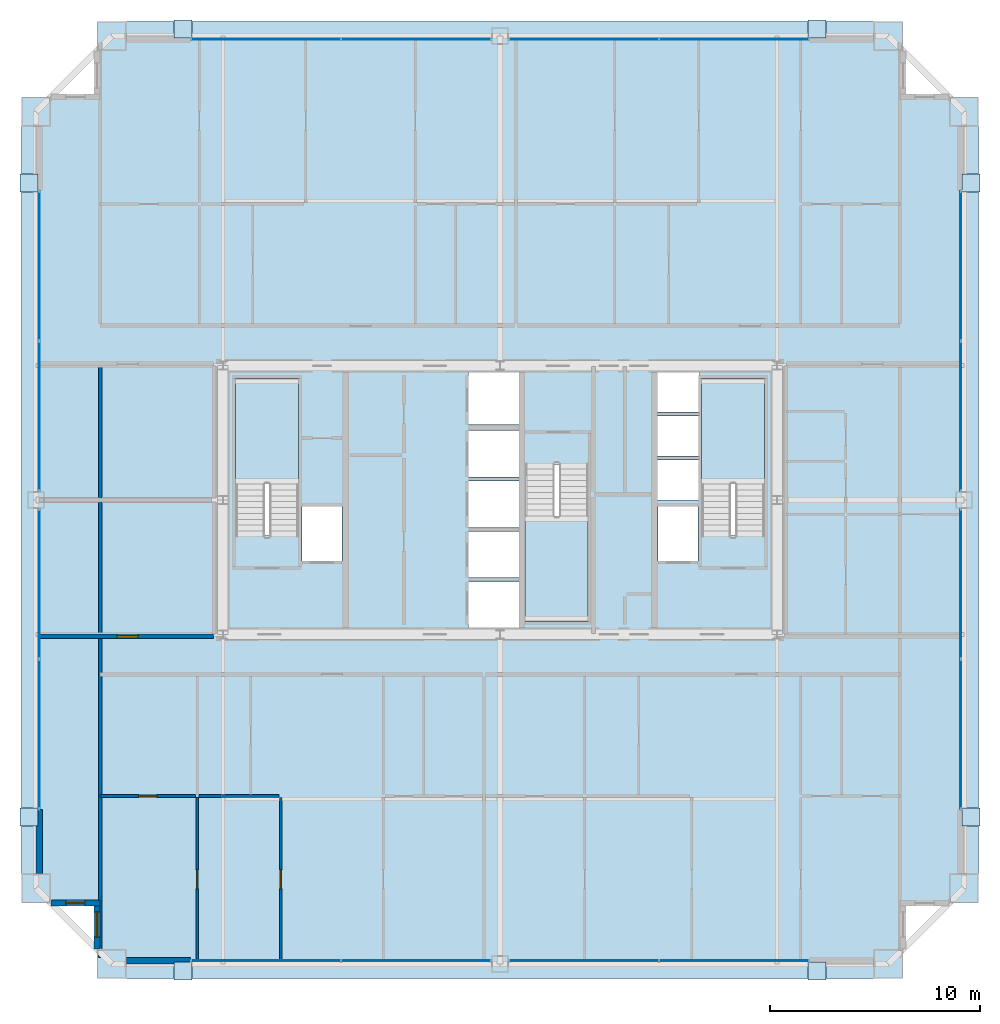
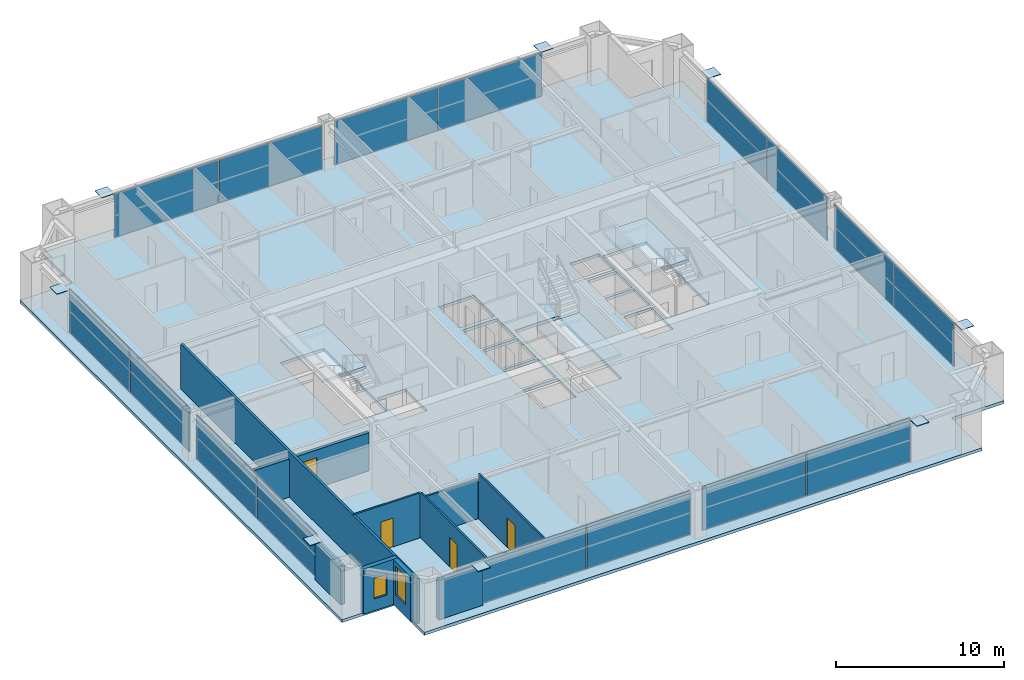
# One storey, part 32 of 38: 24 plates, 10 walls, 4 doors, 4 slabs, 2 windows, 6 openings, 11 elements without a shape of their own.
"""IFC4 building model written with IfcOpenShell, lengths in metres."""

from ifc_helpers import new_model, si_unit, direction, frame, frame_2d, origin, origin_2d, place, context, subcontext, project, spatial, polyline, rectangle, outline, extrude, source, transform, mapped, material, layer, layer_set, type_object, element, fill, aggregate, save


model = new_model("IFC4")

# Units and contexts
model_context = context("Model", 3, precision=1e-05, world=origin(), true_north=direction((0.0, 1.0)))
body_context = subcontext(model_context, "Body", "Model", "MODEL_VIEW")
ifc_project = project(units=[si_unit("LENGTHUNIT", "METRE"), si_unit("AREAUNIT", "SQUARE_METRE"), si_unit("VOLUMEUNIT", "CUBIC_METRE"), si_unit("PLANEANGLEUNIT", "RADIAN"), si_unit("MASSUNIT", "GRAM", prefix="KILO"), si_unit("THERMODYNAMICTEMPERATUREUNIT", "KELVIN"), si_unit("POWERUNIT", "WATT")], contexts=[model_context])

# Site, building, storey
site_placement = place(None, origin())
site = spatial("IfcSite", under=ifc_project, at=site_placement, CompositionType="ELEMENT")
building_placement = place(site_placement, origin())
building = spatial("IfcBuilding", under=site, at=building_placement, Name="Yuzanri Waterfront Tower", CompositionType="ELEMENT")
storey_placement = place(building_placement, frame((0.0, 0.0, 195.0)))
storey = spatial("IfcBuildingStorey", under=building, at=storey_placement, Name="L51", CompositionType="ELEMENT", Elevation=195.0)

# Stair, slab
ifc_material_1 = material(Name="Concrete C40", Category="concrete")
stair_type = type_object("IfcStairType", Name="Concrete C40 Core Dogleg Exit Stair", PredefinedType="HALF_TURN_STAIR", material=ifc_material_1)
stair_1_placement = place(storey_placement, origin())
stair_1 = element("IfcStair", 1, at=stair_1_placement, inside=storey, type_object=stair_type, Name="L51 Smoke-Proof Core Stair ST-01", PredefinedType="HALF_TURN_STAIR")
ifc_material_2 = material(Name="Concrete C40", Category="concrete")
ifc_layer_1 = layer(ifc_material_2, 0.179931640625)
ifc_layer_set_1 = layer_set([ifc_layer_1], Name="Concrete C40")
slab_type_1 = type_object("IfcSlabType", Name="Concrete C40 Stair Half-Landing Slab 180", PredefinedType="LANDING", material=ifc_layer_set_1)
slab_1_placement = place(storey_placement, frame((0.0, 0.0, 1.550048828125)))
slab_1 = element("IfcSlab", 2, at=slab_1_placement, type_object=slab_type_1, Name="ST-01 landing 1", PredefinedType="LANDING", context=body_context, shape_type="SweptSolid", body=[
    extrude(outline(polyline([(27.39990234375, 26.56005859375), (27.39990234375, 31.580078125), (24.39990234375, 31.580078125), (24.39990234375, 26.56005859375), (27.39990234375, 26.56005859375)])), origin(), (0.0, 0.0, 1.0), 0.199951171875),
])
aggregate(stair_1, [slab_1])

stair_2_placement = place(storey_placement, origin())
stair_2 = element("IfcStair", 3, at=stair_2_placement, inside=storey, type_object=stair_type, Name="L51 Smoke-Proof Core Stair ST-02", PredefinedType="HALF_TURN_STAIR")
slab_2_placement = place(storey_placement, frame((0.0, 0.0, 1.550048828125)))
slab_2 = element("IfcSlab", 4, at=slab_2_placement, type_object=slab_type_1, Name="ST-02 landing 1", PredefinedType="LANDING", context=body_context, shape_type="SweptSolid", body=[
    extrude(outline(polyline([(49.60009765625, 26.56005859375), (49.60009765625, 31.580078125), (46.60009765625, 31.580078125), (46.60009765625, 26.56005859375), (49.60009765625, 26.56005859375)])), origin(), (0.0, 0.0, 1.0), 0.199951171875),
])
aggregate(stair_2, [slab_2])

stair_3_placement = place(storey_placement, origin())
stair_3 = element("IfcStair", 5, at=stair_3_placement, inside=storey, type_object=stair_type, Name="L51 Smoke-Proof Core Stair ST-03", PredefinedType="HALF_TURN_STAIR")
slab_3_placement = place(storey_placement, frame((0.0, 0.0, 1.550048828125)))
slab_3 = element("IfcSlab", 6, at=slab_3_placement, type_object=slab_type_1, Name="ST-03 landing 1", PredefinedType="LANDING", context=body_context, shape_type="SweptSolid", body=[
    extrude(outline(polyline([(38.199951171875, 25.0400390625), (38.199951171875, 20.02001953125), (41.199951171875, 20.02001953125), (41.199951171875, 25.0400390625), (38.199951171875, 25.0400390625)])), origin(), (0.0, 0.0, 1.0), 0.199951171875),
])
aggregate(stair_3, [slab_3])

# Slab
ifc_material_3 = material(Name="Concrete C40", Category="concrete")
ifc_layer_2 = layer(ifc_material_3, 0.219970703125)
ifc_layer_set_2 = layer_set([ifc_layer_2], Name="Concrete C40")
slab_type_2 = type_object("IfcSlabType", Name="Concrete C40 Tower Typical Structural Floor Slab 220", PredefinedType="FLOOR", material=ifc_layer_set_2)
slab_4_placement = place(storey_placement, frame((0.0, 0.0, -0.219970703125)))
element("IfcSlab", 7, at=slab_4_placement, inside=storey, type_object=slab_type_2, Name="L51 Main Structural Floor Slab", PredefinedType="FLOOR", context=body_context, shape_type="SweptSolid", body=[
    extrude(outline(polyline([(17.800048828125, 3.0), (56.199951171875, 3.0), (56.199951171875, 6.60009765625), (59.800048828125, 6.60009765625), (59.800048828125, 45.0), (56.199951171875, 45.0), (56.199951171875, 48.60009765625), (17.800048828125, 48.60009765625), (17.800048828125, 45.0), (14.199951171875, 45.0), (14.199951171875, 6.60009765625), (17.800048828125, 6.60009765625), (17.800048828125, 3.0)]), holes=[polyline([(27.39990234375, 24.10009765625), (27.39990234375, 31.580078125), (24.39990234375, 31.580078125), (24.39990234375, 24.10009765625), (27.39990234375, 24.10009765625)]), polyline([(49.60009765625, 24.10009765625), (49.60009765625, 31.580078125), (46.60009765625, 31.580078125), (46.60009765625, 24.10009765625), (49.60009765625, 24.10009765625)]), polyline([(38.199951171875, 27.5), (38.199951171875, 20.02001953125), (41.199951171875, 20.02001953125), (41.199951171875, 27.5), (38.199951171875, 27.5)]), polyline([(27.56005859375, 22.89990234375), (29.47998046875, 22.89990234375), (29.47998046875, 25.5), (27.56005859375, 25.5), (27.56005859375, 22.89990234375)]), polyline([(44.52001953125, 22.89990234375), (46.43994140625, 22.89990234375), (46.43994140625, 25.5), (44.52001953125, 25.5), (44.52001953125, 22.89990234375)]), polyline([(35.5, 19.699951171875), (37.89990234375, 19.699951171875), (37.89990234375, 21.89990234375), (35.5, 21.89990234375), (35.5, 19.699951171875)]), polyline([(35.5, 22.10009765625), (37.89990234375, 22.10009765625), (37.89990234375, 24.300048828125), (35.5, 24.300048828125), (35.5, 22.10009765625)]), polyline([(35.5, 24.5), (37.89990234375, 24.5), (37.89990234375, 26.699951171875), (35.5, 26.699951171875), (35.5, 24.5)]), polyline([(35.5, 26.89990234375), (37.89990234375, 26.89990234375), (37.89990234375, 29.10009765625), (35.5, 29.10009765625), (35.5, 26.89990234375)]), polyline([(35.5, 29.39990234375), (37.89990234375, 29.39990234375), (37.89990234375, 31.89990234375), (35.5, 31.89990234375), (35.5, 29.39990234375)]), polyline([(44.5, 25.800048828125), (46.5, 25.800048828125), (46.5, 27.699951171875), (44.5, 27.699951171875), (44.5, 25.800048828125)]), polyline([(44.5, 27.89990234375), (46.5, 27.89990234375), (46.5, 29.800048828125), (44.5, 29.800048828125), (44.5, 27.89990234375)]), polyline([(44.5, 30.0), (46.5, 30.0), (46.5, 31.89990234375), (44.5, 31.89990234375), (44.5, 30.0)])]), origin(), (0.0, 0.0, 1.0), 0.219970703125),
])

# Plates
ifc_material_4 = material(Name="Steel Q420GJC", Category="steel")
ifc_layer_3 = layer(ifc_material_4, 0.0400390625)
ifc_layer_set_3 = layer_set([ifc_layer_3], Name="Steel Q420GJC")
plate_type_1 = type_object("IfcPlateType", Name="Steel Q420GJC Mega-Brace Gusset and End-Cap Plate 40", PredefinedType="SHEET", material=ifc_layer_set_3)
shared_shape_1 = source(origin(), body_context, "Body", "SweptSolid", [
    extrude(rectangle(XDim=0.85009765625, YDim=0.85009765625, at=origin_2d()), origin(), (0.0, 0.0, 1.0), 0.0400390625),
])
for number, where, z_axis, x_axis, name in (
    (8, (21.89990234375, 3.360107421875, 3.159912109375), (0.0, 0.0, 1.0), (1.0, 0.0, 0.0), "L51 Mega-Brace Apex Cap Plate S-L"),
    (9, (52.10009765625, 3.360107421875, 3.159912109375), (0.0, 0.0, 1.0), (1.0, 0.0, 0.0), "L51 Mega-Brace Apex Cap Plate S-R"),
    (10, (21.89990234375, 48.239990234375, 3.159912109375), (0.0, 0.0, 1.0), (1.0, 0.0, 0.0), "L51 Mega-Brace Apex Cap Plate N-L"),
    (11, (52.10009765625, 48.239990234375, 3.159912109375), (0.0, 0.0, 1.0), (1.0, 0.0, 0.0), "L51 Mega-Brace Apex Cap Plate N-R"),
    (12, (14.56005859375, 10.699951171875, 3.159912109375), (0.0, 0.0, 1.0), (1.0, 0.0, 0.0), "L51 Mega-Brace Apex Cap Plate W-L"),
    (13, (14.56005859375, 40.89990234375, 3.159912109375), (0.0, 0.0, 1.0), (1.0, 0.0, 0.0), "L51 Mega-Brace Apex Cap Plate W-R"),
    (14, (59.43994140625, 10.699951171875, 3.159912109375), (0.0, 0.0, 1.0), (1.0, 0.0, 0.0), "L51 Mega-Brace Apex Cap Plate E-L"),
    (15, (59.43994140625, 40.89990234375, 3.159912109375), (0.0, 0.0, 1.0), (1.0, 0.0, 0.0), "L51 Mega-Brace Apex Cap Plate E-R"),
):
    element("IfcPlate", number, at=place(storey_placement, frame(where, z_axis=z_axis, x_axis=x_axis)), inside=storey, type_object=plate_type_1, Name=name, PredefinedType="SHEET", context=body_context, shape_type="MappedRepresentation", body=[
        mapped(shared_shape_1, transform((0.0, 0.0, 0.0), scale=1.0)),
    ])

# Curtain wall, plates
ifc_material_5 = material(Name="Anodized Architectural Bronze", Category="metal")
ifc_layer_4 = layer(ifc_material_5, 0.159912109375)
ifc_layer_set_4 = layer_set([ifc_layer_4], Name="Anodized Architectural Bronze")
curtain_wall_type = type_object("IfcCurtainWallType", Name="Anodized Bronze Mid-Rise Residential Acoustic Unitized Curtain Wall 7200", PredefinedType="NOTDEFINED", material=ifc_layer_set_4)
curtain_wall_1_placement = place(storey_placement, origin())
curtain_wall_1 = element("IfcCurtainWall", 16, at=curtain_wall_1_placement, inside=storey, type_object=curtain_wall_type, Name="L51 Curtain Wall CW-L51-SL", PredefinedType="NOTDEFINED")
ifc_material_6 = material(Name="Triple Low-E Laminated Insulated Glass", Category="glass")
ifc_layer_5 = layer(ifc_material_6, 0.0439453125)
ifc_layer_set_5 = layer_set([ifc_layer_5], Name="Triple Low-E Laminated Insulated Glass")
plate_type_2 = type_object("IfcPlateType", Name="Triple Glazed Acoustic Vision Glass Panel 44", PredefinedType="CURTAIN_PANEL", material=ifc_layer_set_5)
shared_shape_2 = source(origin(), body_context, "Body", "SweptSolid", [
    extrude(rectangle(XDim=7.094970703125, YDim=0.0439453125, at=origin_2d()), origin(), (0.0, 0.0, 1.0), 3.179931640625),
])
plate_1_placement = place(storey_placement, frame((25.83740234375, 3.85009765625, 0.0498046875), z_axis=(0.0, 0.0, 1.0), x_axis=(1.0, 0.0, 0.0)))
plate_1 = element("IfcPlate", 17, at=plate_1_placement, type_object=plate_type_2, Name="CW-L51-SL Vision Glass Panel 01", PredefinedType="CURTAIN_PANEL", context=body_context, shape_type="MappedRepresentation", body=[
    mapped(shared_shape_2, transform((0.0, 0.0, 0.0), scale=1.0)),
])
plate_2_placement = place(storey_placement, frame((33.012451171875, 3.85009765625, 0.0498046875), z_axis=(0.0, 0.0, 1.0), x_axis=(1.0, 0.0, 0.0)))
plate_2 = element("IfcPlate", 18, at=plate_2_placement, type_object=plate_type_2, Name="CW-L51-SL Vision Glass Panel 02", PredefinedType="CURTAIN_PANEL", context=body_context, shape_type="MappedRepresentation", body=[
    mapped(shared_shape_2, transform((0.0, 0.0, 0.0), scale=1.0)),
])
aggregate(curtain_wall_1, [plate_1, plate_2])

curtain_wall_2_placement = place(storey_placement, origin())
curtain_wall_2 = element("IfcCurtainWall", 19, at=curtain_wall_2_placement, inside=storey, type_object=curtain_wall_type, Name="L51 Curtain Wall CW-L51-SR", PredefinedType="NOTDEFINED")
plate_3_placement = place(storey_placement, frame((40.987548828125, 3.85009765625, 0.0498046875), z_axis=(0.0, 0.0, 1.0), x_axis=(1.0, 0.0, 0.0)))
plate_3 = element("IfcPlate", 20, at=plate_3_placement, type_object=plate_type_2, Name="CW-L51-SR Vision Glass Panel 01", PredefinedType="CURTAIN_PANEL", context=body_context, shape_type="MappedRepresentation", body=[
    mapped(shared_shape_2, transform((0.0, 0.0, 0.0), scale=1.0)),
])
plate_4_placement = place(storey_placement, frame((48.16259765625, 3.85009765625, 0.0498046875), z_axis=(0.0, 0.0, 1.0), x_axis=(1.0, 0.0, 0.0)))
plate_4 = element("IfcPlate", 21, at=plate_4_placement, type_object=plate_type_2, Name="CW-L51-SR Vision Glass Panel 02", PredefinedType="CURTAIN_PANEL", context=body_context, shape_type="MappedRepresentation", body=[
    mapped(shared_shape_2, transform((0.0, 0.0, 0.0), scale=1.0)),
])
aggregate(curtain_wall_2, [plate_3, plate_4])

curtain_wall_3_placement = place(storey_placement, origin())
curtain_wall_3 = element("IfcCurtainWall", 22, at=curtain_wall_3_placement, inside=storey, type_object=curtain_wall_type, Name="L51 Curtain Wall CW-L51-NL", PredefinedType="NOTDEFINED")
plate_5_placement = place(storey_placement, frame((25.83740234375, 47.75, 0.0498046875), z_axis=(0.0, 0.0, 1.0), x_axis=(1.0, 0.0, 0.0)))
plate_5 = element("IfcPlate", 23, at=plate_5_placement, type_object=plate_type_2, Name="CW-L51-NL Vision Glass Panel 01", PredefinedType="CURTAIN_PANEL", context=body_context, shape_type="MappedRepresentation", body=[
    mapped(shared_shape_2, transform((0.0, 0.0, 0.0), scale=1.0)),
])
plate_6_placement = place(storey_placement, frame((33.012451171875, 47.75, 0.0498046875), z_axis=(0.0, 0.0, 1.0), x_axis=(1.0, 0.0, 0.0)))
plate_6 = element("IfcPlate", 24, at=plate_6_placement, type_object=plate_type_2, Name="CW-L51-NL Vision Glass Panel 02", PredefinedType="CURTAIN_PANEL", context=body_context, shape_type="MappedRepresentation", body=[
    mapped(shared_shape_2, transform((0.0, 0.0, 0.0), scale=1.0)),
])
aggregate(curtain_wall_3, [plate_5, plate_6])

curtain_wall_4_placement = place(storey_placement, origin())
curtain_wall_4 = element("IfcCurtainWall", 25, at=curtain_wall_4_placement, inside=storey, type_object=curtain_wall_type, Name="L51 Curtain Wall CW-L51-NR", PredefinedType="NOTDEFINED")
plate_7_placement = place(storey_placement, frame((40.987548828125, 47.75, 0.0498046875), z_axis=(0.0, 0.0, 1.0), x_axis=(1.0, 0.0, 0.0)))
plate_7 = element("IfcPlate", 26, at=plate_7_placement, type_object=plate_type_2, Name="CW-L51-NR Vision Glass Panel 01", PredefinedType="CURTAIN_PANEL", context=body_context, shape_type="MappedRepresentation", body=[
    mapped(shared_shape_2, transform((0.0, 0.0, 0.0), scale=1.0)),
])
plate_8_placement = place(storey_placement, frame((48.16259765625, 47.75, 0.0498046875), z_axis=(0.0, 0.0, 1.0), x_axis=(1.0, 0.0, 0.0)))
plate_8 = element("IfcPlate", 27, at=plate_8_placement, type_object=plate_type_2, Name="CW-L51-NR Vision Glass Panel 02", PredefinedType="CURTAIN_PANEL", context=body_context, shape_type="MappedRepresentation", body=[
    mapped(shared_shape_2, transform((0.0, 0.0, 0.0), scale=1.0)),
])
aggregate(curtain_wall_4, [plate_7, plate_8])

curtain_wall_5_placement = place(storey_placement, origin())
curtain_wall_5 = element("IfcCurtainWall", 28, at=curtain_wall_5_placement, inside=storey, type_object=curtain_wall_type, Name="L51 Curtain Wall CW-L51-WL", PredefinedType="NOTDEFINED")
plate_9_placement = place(storey_placement, frame((15.050048828125, 14.637451171875, 0.0498046875), z_axis=(0.0, 0.0, 1.0), x_axis=(0.0, 1.0, 0.0)))
plate_9 = element("IfcPlate", 29, at=plate_9_placement, type_object=plate_type_2, Name="CW-L51-WL Vision Glass Panel 01", PredefinedType="CURTAIN_PANEL", context=body_context, shape_type="MappedRepresentation", body=[
    mapped(shared_shape_2, transform((0.0, 0.0, 0.0), scale=1.0)),
])
plate_10_placement = place(storey_placement, frame((15.050048828125, 21.8125, 0.0498046875), z_axis=(0.0, 0.0, 1.0), x_axis=(0.0, 1.0, 0.0)))
plate_10 = element("IfcPlate", 30, at=plate_10_placement, type_object=plate_type_2, Name="CW-L51-WL Vision Glass Panel 02", PredefinedType="CURTAIN_PANEL", context=body_context, shape_type="MappedRepresentation", body=[
    mapped(shared_shape_2, transform((0.0, 0.0, 0.0), scale=1.0)),
])
aggregate(curtain_wall_5, [plate_9, plate_10])

curtain_wall_6_placement = place(storey_placement, origin())
curtain_wall_6 = element("IfcCurtainWall", 31, at=curtain_wall_6_placement, inside=storey, type_object=curtain_wall_type, Name="L51 Curtain Wall CW-L51-WR", PredefinedType="NOTDEFINED")
plate_11_placement = place(storey_placement, frame((15.050048828125, 29.78759765625, 0.0498046875), z_axis=(0.0, 0.0, 1.0), x_axis=(0.0, 1.0, 0.0)))
plate_11 = element("IfcPlate", 32, at=plate_11_placement, type_object=plate_type_2, Name="CW-L51-WR Vision Glass Panel 01", PredefinedType="CURTAIN_PANEL", context=body_context, shape_type="MappedRepresentation", body=[
    mapped(shared_shape_2, transform((0.0, 0.0, 0.0), scale=1.0)),
])
plate_12_placement = place(storey_placement, frame((15.050048828125, 36.96240234375, 0.0498046875), z_axis=(0.0, 0.0, 1.0), x_axis=(0.0, 1.0, 0.0)))
plate_12 = element("IfcPlate", 33, at=plate_12_placement, type_object=plate_type_2, Name="CW-L51-WR Vision Glass Panel 02", PredefinedType="CURTAIN_PANEL", context=body_context, shape_type="MappedRepresentation", body=[
    mapped(shared_shape_2, transform((0.0, 0.0, 0.0), scale=1.0)),
])
aggregate(curtain_wall_6, [plate_11, plate_12])

curtain_wall_7_placement = place(storey_placement, origin())
curtain_wall_7 = element("IfcCurtainWall", 34, at=curtain_wall_7_placement, inside=storey, type_object=curtain_wall_type, Name="L51 Curtain Wall CW-L51-EL", PredefinedType="NOTDEFINED")
plate_13_placement = place(storey_placement, frame((58.949951171875, 14.637451171875, 0.0498046875), z_axis=(0.0, 0.0, 1.0), x_axis=(0.0, 1.0, 0.0)))
plate_13 = element("IfcPlate", 35, at=plate_13_placement, type_object=plate_type_2, Name="CW-L51-EL Vision Glass Panel 01", PredefinedType="CURTAIN_PANEL", context=body_context, shape_type="MappedRepresentation", body=[
    mapped(shared_shape_2, transform((0.0, 0.0, 0.0), scale=1.0)),
])
plate_14_placement = place(storey_placement, frame((58.949951171875, 21.8125, 0.0498046875), z_axis=(0.0, 0.0, 1.0), x_axis=(0.0, 1.0, 0.0)))
plate_14 = element("IfcPlate", 36, at=plate_14_placement, type_object=plate_type_2, Name="CW-L51-EL Vision Glass Panel 02", PredefinedType="CURTAIN_PANEL", context=body_context, shape_type="MappedRepresentation", body=[
    mapped(shared_shape_2, transform((0.0, 0.0, 0.0), scale=1.0)),
])
aggregate(curtain_wall_7, [plate_13, plate_14])

curtain_wall_8_placement = place(storey_placement, origin())
curtain_wall_8 = element("IfcCurtainWall", 37, at=curtain_wall_8_placement, inside=storey, type_object=curtain_wall_type, Name="L51 Curtain Wall CW-L51-ER", PredefinedType="NOTDEFINED")
plate_15_placement = place(storey_placement, frame((58.949951171875, 29.78759765625, 0.0498046875), z_axis=(0.0, 0.0, 1.0), x_axis=(0.0, 1.0, 0.0)))
plate_15 = element("IfcPlate", 38, at=plate_15_placement, type_object=plate_type_2, Name="CW-L51-ER Vision Glass Panel 01", PredefinedType="CURTAIN_PANEL", context=body_context, shape_type="MappedRepresentation", body=[
    mapped(shared_shape_2, transform((0.0, 0.0, 0.0), scale=1.0)),
])
plate_16_placement = place(storey_placement, frame((58.949951171875, 36.96240234375, 0.0498046875), z_axis=(0.0, 0.0, 1.0), x_axis=(0.0, 1.0, 0.0)))
plate_16 = element("IfcPlate", 39, at=plate_16_placement, type_object=plate_type_2, Name="CW-L51-ER Vision Glass Panel 02", PredefinedType="CURTAIN_PANEL", context=body_context, shape_type="MappedRepresentation", body=[
    mapped(shared_shape_2, transform((0.0, 0.0, 0.0), scale=1.0)),
])
aggregate(curtain_wall_8, [plate_15, plate_16])

# Wall, opening, door
ifc_material_7 = material(Name="Moisture-Resistant Gypsum Stud Wall", Category="gypsum")
ifc_layer_6 = layer(ifc_material_7, 0.1201171875)
ifc_layer_set_6 = layer_set([ifc_layer_6], Name="Moisture-Resistant Gypsum Stud Wall")
wall_type_1 = type_object("IfcWallType", Name="Bathroom and Kitchen Wet Partition 120", PredefinedType="PARTITIONING", material=ifc_layer_set_6)
wall_1_placement = place(storey_placement, frame((17.93994140625, 11.699951171875, 0.0), z_axis=(0.0, 0.0, 1.0), x_axis=(1.0, 0.0, 0.0)))
wall_1 = element("IfcWall", 40, at=wall_1_placement, inside=storey, type_object=wall_type_1, Name="L51 Partition UW-L51-RS1-SUB-1-S", PredefinedType="PARTITIONING", context=body_context, shape_type="SweptSolid", body=[
    extrude(rectangle(XDim=4.553955078125, YDim=0.1201171875, at=frame_2d((2.27685546875, 0.0))), origin(), (0.0, 0.0, 1.0), 3.280029296875),
])
opening_1_placement = place(wall_1_placement, frame((1.85205078125, 0.0, 0.0)))
opening_1 = element("IfcOpeningElement", 41, at=opening_1_placement, cuts=wall_1, Name="Opening ID-0850", PredefinedType="OPENING", context=body_context, shape_type="SweptSolid", body=[
    extrude(rectangle(XDim=0.85009765625, YDim=2.10009765625, at=frame_2d((0.425048828125, 1.050048828125))), frame((0.0, 0.074951171875, 0.0), z_axis=(0.0, -1.0, 0.0), x_axis=(1.0, 0.0, 0.0)), (0.0, 0.0, 1.0), 0.14990234375),
])
ifc_material_8 = material(Name="Moisture-Resistant Lacquered Timber", Category="wood")
door_type_1 = type_object("IfcDoorType", Name="En-Suite Bathroom and Kitchen Swing Door 850x2100", OperationType="NOTDEFINED", PredefinedType="DOOR", material=ifc_material_8)
shared_shape_3 = source(origin(), body_context, "Body", "SweptSolid", [
    extrude(rectangle(XDim=0.85009765625, YDim=2.10009765625, at=frame_2d((0.425048828125, 1.050048828125))), frame((0.0, 0.02490234375, 0.0), z_axis=(0.0, -1.0, 0.0), x_axis=(1.0, 0.0, 0.0)), (0.0, 0.0, 1.0), 0.050048828125),
])
door_1_placement = place(opening_1_placement, origin())
door_1 = element("IfcDoor", 42, at=door_1_placement, inside=storey, type_object=door_type_1, Name="L51 Suite Interior Room Door", OperationType="SINGLE_SWING_RIGHT", OverallHeight=2.10009765625, OverallWidth=0.85009765625, PredefinedType="DOOR", context=body_context, shape_type="MappedRepresentation", body=[
    mapped(shared_shape_3, transform((0.0, 0.0, 0.0), scale=1.0)),
])
fill(opening_1, door_1)

wall_2_placement = place(storey_placement, frame((22.573974609375, 3.85009765625, 0.0), z_axis=(0.0, 0.0, 1.0), x_axis=(0.0, 1.0, 0.0)))
wall_2 = element("IfcWall", 43, at=wall_2_placement, inside=storey, type_object=wall_type_1, Name="L51 Partition UW-L51-RS1-SUB-5-E", PredefinedType="PARTITIONING", context=body_context, shape_type="SweptSolid", body=[
    extrude(rectangle(XDim=7.77001953125, YDim=0.1201171875, at=frame_2d((3.885009765625, 0.0))), origin(), (0.0, 0.0, 1.0), 3.280029296875),
])
opening_2_placement = place(wall_2_placement, frame((3.43505859375, 0.0, 0.0)))
opening_2 = element("IfcOpeningElement", 44, at=opening_2_placement, cuts=wall_2, Name="Opening ID-0900", PredefinedType="OPENING", context=body_context, shape_type="SweptSolid", body=[
    extrude(rectangle(XDim=0.89990234375, YDim=2.14990234375, at=frame_2d((0.449951171875, 1.074951171875))), frame((0.0, 0.074951171875, 0.0), z_axis=(0.0, -1.0, 0.0), x_axis=(1.0, 0.0, 0.0)), (0.0, 0.0, 1.0), 0.14990234375),
])
ifc_material_9 = material(Name="Stained Walnut Veneer Timber", Category="wood")
door_type_2 = type_object("IfcDoorType", Name="Bedroom and Study Interior Swing Door 900x2150", OperationType="NOTDEFINED", PredefinedType="DOOR", material=ifc_material_9)
shared_shape_4 = source(origin(), body_context, "Body", "SweptSolid", [
    extrude(rectangle(XDim=0.89990234375, YDim=2.14990234375, at=frame_2d((0.449951171875, 1.074951171875))), frame((0.0, 0.02490234375, 0.0), z_axis=(0.0, -1.0, 0.0), x_axis=(1.0, 0.0, 0.0)), (0.0, 0.0, 1.0), 0.050048828125),
])
door_2_placement = place(opening_2_placement, origin())
door_2 = element("IfcDoor", 45, at=door_2_placement, inside=storey, type_object=door_type_2, Name="L51 Suite Interior Room Door", OperationType="SINGLE_SWING_RIGHT", OverallHeight=2.14990234375, OverallWidth=0.89990234375, PredefinedType="DOOR", context=body_context, shape_type="MappedRepresentation", body=[
    mapped(shared_shape_4, transform((0.0, 0.0, 0.0), scale=1.0)),
])
fill(opening_2, door_2)

wall_3_placement = place(storey_placement, frame((26.56103515625, 3.85009765625, 0.0), z_axis=(0.0, 0.0, 1.0), x_axis=(0.0, 1.0, 0.0)))
wall_3 = element("IfcWall", 46, at=wall_3_placement, inside=storey, type_object=wall_type_1, Name="L51 Partition UW-L51-RS1-SUB-7-E", PredefinedType="PARTITIONING", context=body_context, shape_type="SweptSolid", body=[
    extrude(rectangle(XDim=7.77001953125, YDim=0.1201171875, at=frame_2d((3.885009765625, 0.0))), origin(), (0.0, 0.0, 1.0), 3.280029296875),
])
opening_3_placement = place(wall_3_placement, frame((3.43505859375, 0.0, 0.0)))
opening_3 = element("IfcOpeningElement", 47, at=opening_3_placement, cuts=wall_3, Name="Opening ID-0900", PredefinedType="OPENING", context=body_context, shape_type="SweptSolid", body=[
    extrude(rectangle(XDim=0.89990234375, YDim=2.14990234375, at=frame_2d((0.449951171875, 1.074951171875))), frame((0.0, 0.074951171875, 0.0), z_axis=(0.0, -1.0, 0.0), x_axis=(1.0, 0.0, 0.0)), (0.0, 0.0, 1.0), 0.14990234375),
])
door_3_placement = place(opening_3_placement, origin())
door_3 = element("IfcDoor", 48, at=door_3_placement, inside=storey, type_object=door_type_2, Name="L51 Suite Interior Room Door", OperationType="SINGLE_SWING_RIGHT", OverallHeight=2.14990234375, OverallWidth=0.89990234375, PredefinedType="DOOR", context=body_context, shape_type="MappedRepresentation", body=[
    mapped(shared_shape_4, transform((0.0, 0.0, 0.0), scale=1.0)),
])
fill(opening_3, door_3)

# Wall, opening, window
ifc_material_10 = material(Name="Honed Chongqing Dark Basalt Stone", Category="masonry")
ifc_layer_7 = layer(ifc_material_10, 0.300048828125)
ifc_layer_set_7 = layer_set([ifc_layer_7], Name="Honed Chongqing Dark Basalt Stone")
wall_type_2 = type_object("IfcWallType", Name="Bronze Rainscreen Insulated Spandrel Portal Wall 300", PredefinedType="SOLIDWALL", material=ifc_layer_set_7)
wall_4_placement = place(storey_placement, frame((15.60009765625, 6.60009765625, 0.0), z_axis=(0.0, 0.0, 1.0), x_axis=(1.0, 0.0, 0.0)))
wall_4 = element("IfcWall", 49, at=wall_4_placement, inside=storey, type_object=wall_type_2, Name="L51 Notched Corner Masonry Wall SW-X", PredefinedType="SOLIDWALL", context=body_context, shape_type="SweptSolid", body=[
    extrude(rectangle(XDim=2.349853515625, YDim=0.300048828125, at=frame_2d((1.1748046875, 0.0))), origin(), (0.0, 0.0, 1.0), 3.280029296875),
])
opening_4_placement = place(wall_4_placement, frame((0.72509765625, 0.0, 0.85009765625)))
opening_4 = element("IfcOpeningElement", 50, at=opening_4_placement, cuts=wall_4, Name="Opening WN-05", PredefinedType="OPENING", context=body_context, shape_type="SweptSolid", body=[
    extrude(rectangle(XDim=0.89990234375, YDim=1.5, at=frame_2d((0.449951171875, 0.75))), frame((0.0, 0.1650390625, 0.0), z_axis=(0.0, -1.0, 0.0), x_axis=(1.0, 0.0, 0.0)), (0.0, 0.0, 1.0), 0.329833984375),
])
ifc_material_11 = material(Name="Double-Silver Low-E Insulated Glass", Category="glass")
window_type_1 = type_object("IfcWindowType", Name="Anodized Bronze Service and Stairwell Smoke-Vent Window 900x1500", PartitioningType="SINGLE_PANEL", PredefinedType="WINDOW", material=ifc_material_11)
shared_shape_5 = source(origin(), body_context, "Body", "SweptSolid", [
    extrude(rectangle(XDim=0.89990234375, YDim=1.5, at=frame_2d((0.449951171875, 0.75))), frame((0.0, 0.030029296875, 0.0), z_axis=(0.0, -1.0, 0.0), x_axis=(1.0, 0.0, 0.0)), (0.0, 0.0, 1.0), 0.06005859375),
])
window_1_placement = place(opening_4_placement, origin())
window_1 = element("IfcWindow", 51, at=window_1_placement, inside=storey, type_object=window_type_1, Name="L51 Notched Corner Window SW-X", OverallHeight=1.5, OverallWidth=0.89990234375, PartitioningType="SINGLE_PANEL", PredefinedType="WINDOW", context=body_context, shape_type="MappedRepresentation", body=[
    mapped(shared_shape_5, transform((0.0, 0.0, 0.0), scale=1.0)),
])
fill(opening_4, window_1)

wall_5_placement = place(storey_placement, frame((17.800048828125, 6.75, 0.0), z_axis=(0.0, 0.0, 1.0), x_axis=(0.0, -1.0, 0.0)))
wall_5 = element("IfcWall", 52, at=wall_5_placement, inside=storey, type_object=wall_type_2, Name="L51 Notched Corner Masonry Wall SW-Y", PredefinedType="SOLIDWALL", context=body_context, shape_type="SweptSolid", body=[
    extrude(rectangle(XDim=2.35009765625, YDim=0.300048828125, at=frame_2d((1.175048828125, 0.0))), origin(), (0.0, 0.0, 1.0), 3.280029296875),
])
opening_5_placement = place(wall_5_placement, frame((0.574951171875, 0.0, 0.85009765625)))
opening_5 = element("IfcOpeningElement", 53, at=opening_5_placement, cuts=wall_5, Name="Opening WN-02", PredefinedType="OPENING", context=body_context, shape_type="SweptSolid", body=[
    extrude(rectangle(XDim=1.199951171875, YDim=2.10009765625, at=frame_2d((0.60009765625, 1.050048828125))), frame((0.0, 0.1650390625, 0.0), z_axis=(0.0, -1.0, 0.0), x_axis=(1.0, 0.0, 0.0)), (0.0, 0.0, 1.0), 0.329833984375),
])
ifc_material_12 = material(Name="Double-Silver Low-E Insulated Glass", Category="glass")
window_type_2 = type_object("IfcWindowType", Name="Anodized Bronze Notched Corner Deep-Set Slot Window 1200x2100", PartitioningType="SINGLE_PANEL", PredefinedType="WINDOW", material=ifc_material_12)
shared_shape_6 = source(origin(), body_context, "Body", "SweptSolid", [
    extrude(rectangle(XDim=1.199951171875, YDim=2.10009765625, at=frame_2d((0.60009765625, 1.050048828125))), frame((0.0, 0.030029296875, 0.0), z_axis=(0.0, -1.0, 0.0), x_axis=(1.0, 0.0, 0.0)), (0.0, 0.0, 1.0), 0.06005859375),
])
window_2_placement = place(opening_5_placement, origin())
window_2 = element("IfcWindow", 54, at=window_2_placement, inside=storey, type_object=window_type_2, Name="L51 Notched Corner Window SW-Y", OverallHeight=2.10009765625, OverallWidth=1.199951171875, PartitioningType="SINGLE_PANEL", PredefinedType="WINDOW", context=body_context, shape_type="MappedRepresentation", body=[
    mapped(shared_shape_6, transform((0.0, 0.0, 0.0), scale=1.0)),
])
fill(opening_5, window_2)

# Wall, opening, door
ifc_material_13 = material(Name="Autoclaved Aerated Concrete Blockwork", Category="masonry")
ifc_layer_8 = layer(ifc_material_13, 0.199951171875)
ifc_layer_set_8 = layer_set([ifc_layer_8], Name="Autoclaved Aerated Concrete Blockwork")
wall_type_3 = type_object("IfcWallType", Name="Corridor and Unit Party Fire Wall 200", PredefinedType="PARTITIONING", material=ifc_layer_set_8)
wall_6_placement = place(storey_placement, frame((15.050048828125, 19.31005859375, 0.0), z_axis=(0.0, 0.0, 1.0), x_axis=(1.0, 0.0, 0.0)))
wall_6 = element("IfcWall", 55, at=wall_6_placement, inside=storey, type_object=wall_type_3, Name="L51 Partition UW-L51-050-CS", PredefinedType="PARTITIONING", context=body_context, shape_type="SweptSolid", body=[
    extrude(rectangle(XDim=8.300048828125, YDim=0.199951171875, at=frame_2d((4.14990234375, 0.0))), origin(), (0.0, 0.0, 1.0), 2.77490234375),
])
opening_6_placement = place(wall_6_placement, frame((3.715087890625, 0.0, 0.0)))
opening_6 = element("IfcOpeningElement", 56, at=opening_6_placement, cuts=wall_6, Name="Opening FD-1000", PredefinedType="OPENING", context=body_context, shape_type="SweptSolid", body=[
    extrude(rectangle(XDim=1.0, YDim=2.199951171875, at=frame_2d((0.5, 1.10009765625))), frame((0.0, 0.11474609375, 0.0), z_axis=(0.0, -1.0, 0.0), x_axis=(1.0, 0.0, 0.0)), (0.0, 0.0, 1.0), 0.229736328125),
])
ifc_material_14 = material(Name="Engineered Oak Fire-Rated Timber", Category="wood")
door_type_3 = type_object("IfcDoorType", Name="Guestroom and Apartment Entrance Fire Door 1000x2200", OperationType="NOTDEFINED", PredefinedType="DOOR", material=ifc_material_14)
shared_shape_7 = source(origin(), body_context, "Body", "SweptSolid", [
    extrude(rectangle(XDim=1.0, YDim=2.199951171875, at=frame_2d((0.5, 1.10009765625))), frame((0.0, 0.02490234375, 0.0), z_axis=(0.0, -1.0, 0.0), x_axis=(1.0, 0.0, 0.0)), (0.0, 0.0, 1.0), 0.050048828125),
])
door_4_placement = place(opening_6_placement, origin())
door_4 = element("IfcDoor", 57, at=door_4_placement, inside=storey, type_object=door_type_3, Name="L51 Residents W Sky Club Room Entrance Door", OperationType="SINGLE_SWING_LEFT", OverallHeight=2.199951171875, OverallWidth=1.0, PredefinedType="DOOR", context=body_context, shape_type="MappedRepresentation", body=[
    mapped(shared_shape_7, transform((0.0, 0.0, 0.0), scale=1.0)),
])
fill(opening_6, door_4)

# Walls
shared_shape_8 = source(origin(), body_context, "Body", "SweptSolid", [
    extrude(rectangle(XDim=3.050048828125, YDim=0.300048828125, at=frame_2d((1.52490234375, 0.0))), origin(), (0.0, 0.0, 1.0), 2.8349609375),
])
for number, where, z_axis, x_axis, name in (
    (58, (19.199951171875, 3.85009765625, 0.0), (0.0, 0.0, 1.0), (1.0, 0.0, 0.0), "L51 S Left Braced Masonry Shoulder"),
    (59, (15.050048828125, 8.0, 0.0), (0.0, 0.0, 1.0), (0.0, 1.0, 0.0), "L51 W Left Braced Masonry Shoulder"),
):
    element("IfcWall", number, at=place(storey_placement, frame(where, z_axis=z_axis, x_axis=x_axis)), inside=storey, type_object=wall_type_2, Name=name, PredefinedType="SOLIDWALL", context=body_context, shape_type="MappedRepresentation", body=[
        mapped(shared_shape_8, transform((0.0, 0.0, 0.0), scale=1.0)),
    ])
shared_shape_9 = source(origin(), body_context, "Body", "SweptSolid", [
    extrude(rectangle(XDim=3.826904296875, YDim=0.1201171875, at=frame_2d((1.91357421875, 0.0))), origin(), (0.0, 0.0, 1.0), 2.875),
])
wall_7_placement = place(storey_placement, frame((22.654052734375, 11.699951171875, 0.0), z_axis=(0.0, 0.0, 1.0), x_axis=(1.0, 0.0, 0.0)))
element("IfcWall", 60, at=wall_7_placement, inside=storey, type_object=wall_type_1, Name="L51 Partition UW-L51-RS1-SUB-7-N", PredefinedType="PARTITIONING", context=body_context, shape_type="MappedRepresentation", body=[
    mapped(shared_shape_9, transform((0.0, 0.0, 0.0), scale=1.0)),
])
ifc_material_15 = material(Name="Gypsum Fireboard Acoustic Stud Wall", Category="gypsum")
ifc_layer_9 = layer(ifc_material_15, 0.159912109375)
ifc_layer_set_9 = layer_set([ifc_layer_9], Name="Gypsum Fireboard Acoustic Stud Wall")
wall_type_4 = type_object("IfcWallType", Name="Acoustic Suite Demising Partition 160", PredefinedType="PARTITIONING", material=ifc_layer_set_9)
shared_shape_10 = source(origin(), body_context, "Body", "SweptSolid", [
    extrude(rectangle(XDim=28.18994140625, YDim=0.159912109375, at=frame_2d((14.094970703125, 0.0))), origin(), (0.0, 0.0, 1.0), 3.280029296875),
])
wall_8_placement = place(storey_placement, frame((17.949951171875, 4.0, 0.0), z_axis=(0.0, 0.0, 1.0), x_axis=(0.0, 1.0, 0.0)))
element("IfcWall", 61, at=wall_8_placement, inside=storey, type_object=wall_type_4, Name="L51 South Band West End Wall", PredefinedType="PARTITIONING", context=body_context, shape_type="MappedRepresentation", body=[
    mapped(shared_shape_10, transform((0.0, 0.0, 0.0), scale=1.0)),
])

save(model, "model.ifc")
